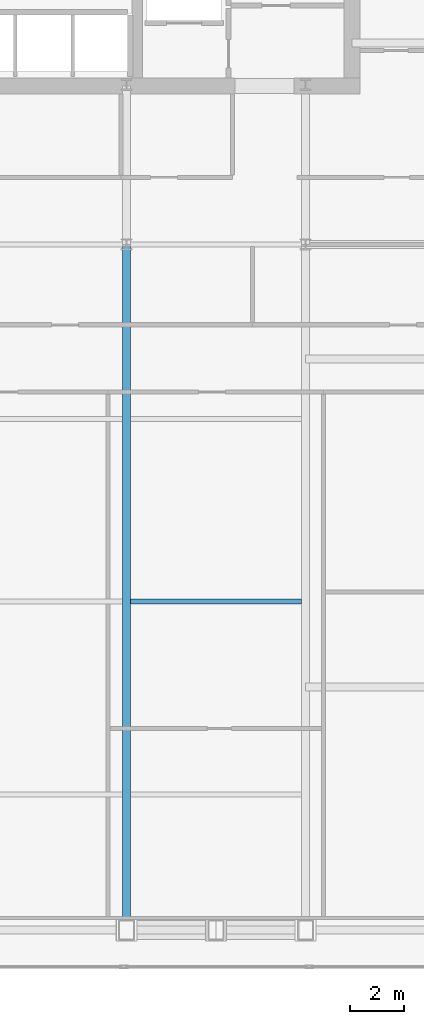
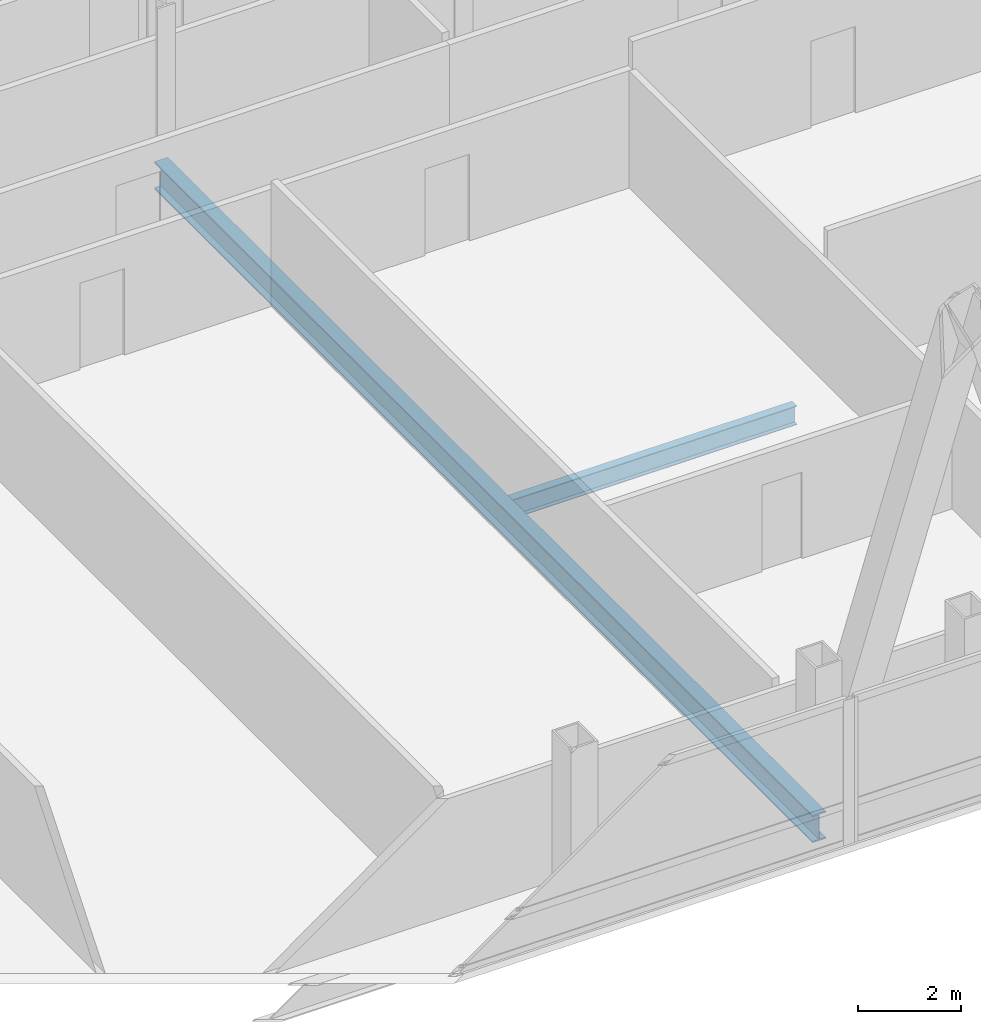
# One storey, part 14 of 32: 2 beams.
"""IFC4 building model written with IfcOpenShell, lengths in metres."""

from ifc_helpers import new_model, si_unit, direction, frame, origin, origin_2d, place, context, subcontext, project, spatial, i_section, extrude, material, material_profile, profile_set, type_object, element, save


model = new_model("IFC4")

# Units and contexts
model_context = context("Model", 3, precision=1e-05, world=origin(), true_north=direction((0.0, 1.0)))
body_context = subcontext(model_context, "Body", "Model", "MODEL_VIEW")
ifc_project = project(units=[si_unit("LENGTHUNIT", "METRE"), si_unit("AREAUNIT", "SQUARE_METRE"), si_unit("VOLUMEUNIT", "CUBIC_METRE"), si_unit("PLANEANGLEUNIT", "RADIAN"), si_unit("MASSUNIT", "GRAM", prefix="KILO")], contexts=[model_context])

# Site, building, storey
site_placement = place(None, origin())
site = spatial("IfcSite", under=ifc_project, at=site_placement, CompositionType="ELEMENT")
building_placement = place(site_placement, origin())
building = spatial("IfcBuilding", under=site, at=building_placement, Name="Khoronbel Lancet Exchange", CompositionType="ELEMENT")
storey_placement = place(building_placement, frame((0.0, 0.0, 221.0)))
storey = spatial("IfcBuildingStorey", under=building, at=storey_placement, Name="L56", CompositionType="ELEMENT", Elevation=221.0)

# Beams
ifc_material = material(Name="Steel S355", Category="steel")
ifc_material_profile_1 = material_profile(ifc_material, i_section(OverallWidth=0.300048828125, OverallDepth=0.64990234375, WebThickness=0.01611328125, FlangeThickness=0.031005859375, at=origin_2d()), Name="HEB 650")
ifc_profile_set_1 = profile_set([ifc_material_profile_1], Name="Steel S355")
beam_type_1 = type_object("IfcBeamType", Name="BM-BG4", PredefinedType="BEAM", material=ifc_profile_set_1)
beam_1_placement = place(storey_placement, frame((48.0, 10.14990234375, -0.485107421875), z_axis=(0.0, 1.0, 0.0), x_axis=(-1.0, 0.0, 0.0)))
element("IfcBeam", 1, at=beam_1_placement, inside=storey, type_object=beam_type_1, Name="Level L56 south primary girder GS5", PredefinedType="BEAM", context=body_context, shape_type="SweptSolid", body=[
    extrude(i_section(OverallWidth=0.300048828125, OverallDepth=0.64990234375, WebThickness=0.01611328125, FlangeThickness=0.031005859375, at=origin_2d()), origin(), (0.0, 0.0, 1.0), 25.550048828125),
])
ifc_material_profile_2 = material_profile(ifc_material, i_section(OverallWidth=0.18994140625, OverallDepth=0.449951171875, WebThickness=0.009521484375, FlangeThickness=0.0146484375, at=origin_2d()), Name="IPE 450")
ifc_profile_set_2 = profile_set([ifc_material_profile_2], Name="Steel S355")
beam_type_2 = type_object("IfcBeamType", Name="BM-BJ4", PredefinedType="JOIST", material=ifc_profile_set_2)
beam_2_placement = place(storey_placement, frame((48.14990234375, 22.39990234375, -0.385009765625), z_axis=(1.0, 0.0, 0.0), x_axis=(0.0, 1.0, 0.0)))
element("IfcBeam", 2, at=beam_2_placement, inside=storey, type_object=beam_type_2, Name="Level L56 secondary composite joist J10", PredefinedType="JOIST", context=body_context, shape_type="SweptSolid", body=[
    extrude(i_section(OverallWidth=0.18994140625, OverallDepth=0.449951171875, WebThickness=0.009521484375, FlangeThickness=0.0146484375, at=origin_2d()), origin(), (0.0, 0.0, 1.0), 6.375),
])

save(model, "model.ifc")
